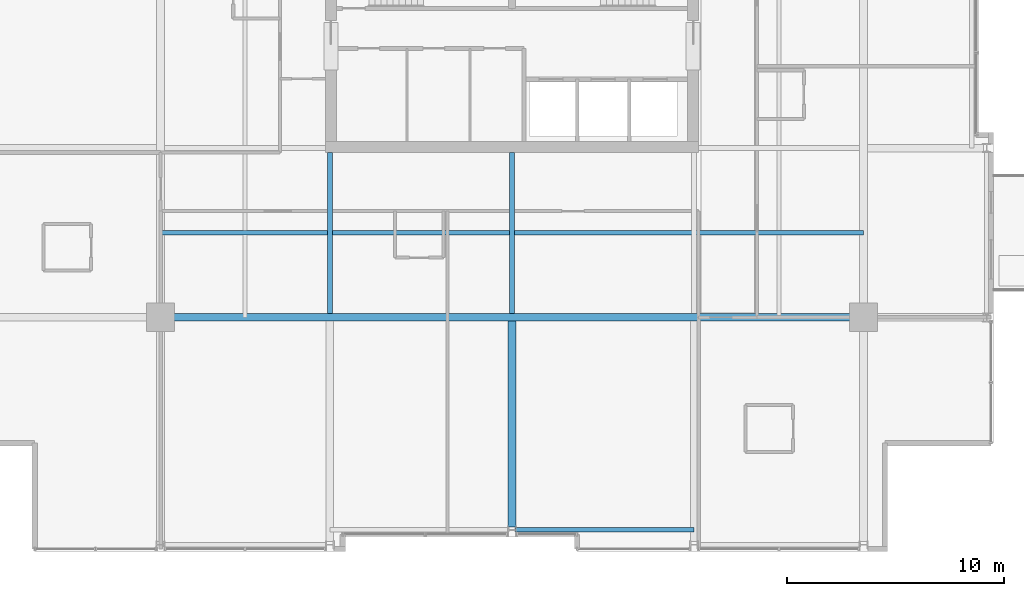
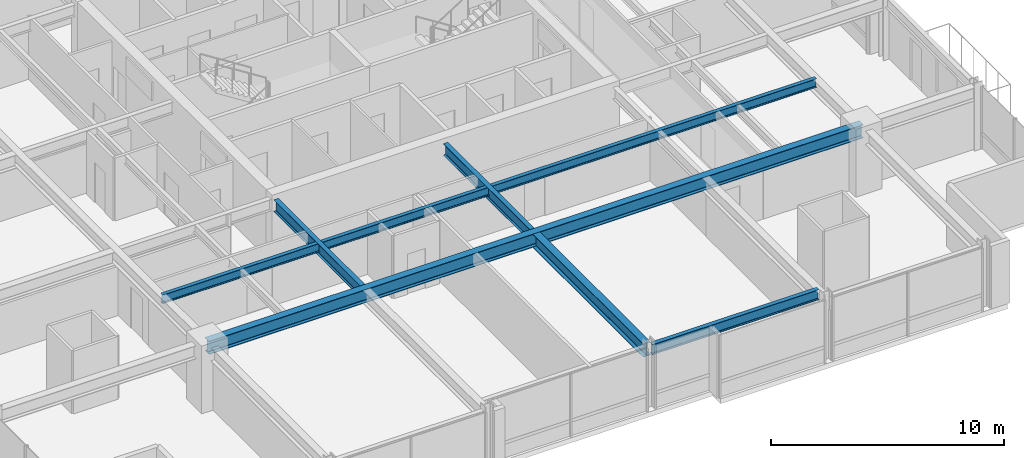
# One storey, part 6 of 32: 6 beams.
"""IFC4 building model written with IfcOpenShell, lengths in metres."""

from ifc_helpers import new_model, si_unit, direction, frame, origin, origin_2d, place, context, subcontext, project, spatial, i_section, extrude, material, material_profile, profile_set, type_object, element, save


model = new_model("IFC4")

# Units and contexts
model_context = context("Model", 3, precision=1e-05, world=origin(), true_north=direction((0.0, 1.0)))
body_context = subcontext(model_context, "Body", "Model", "MODEL_VIEW")
ifc_project = project(units=[si_unit("LENGTHUNIT", "METRE"), si_unit("AREAUNIT", "SQUARE_METRE"), si_unit("VOLUMEUNIT", "CUBIC_METRE"), si_unit("PLANEANGLEUNIT", "RADIAN"), si_unit("MASSUNIT", "GRAM", prefix="KILO")], contexts=[model_context])

# Site, building, storey
site_placement = place(None, origin())
site = spatial("IfcSite", under=ifc_project, at=site_placement, CompositionType="ELEMENT")
building_placement = place(site_placement, origin())
building = spatial("IfcBuilding", under=site, at=building_placement, Name="Drelvath Grand Hotel", CompositionType="ELEMENT")
storey_placement = place(building_placement, frame((0.0, 0.0, 164.60009765625)))
storey = spatial("IfcBuildingStorey", under=building, at=storey_placement, Name="L42", CompositionType="ELEMENT", Elevation=164.60009765625)

# Beams
ifc_material = material(Name="Steel ASTM A992 Gr 50", Category="steel")
ifc_material_profile_1 = material_profile(ifc_material, i_section(OverallWidth=0.19140625, OverallDepth=0.4599609375, WebThickness=0.010009765625, FlangeThickness=0.01611328125, FilletRadius=0.01611328125, at=origin_2d()), Name="W18X55")
ifc_profile_set_1 = profile_set([ifc_material_profile_1], Name="Steel ASTM A992 Gr 50")
beam_type_1 = type_object("IfcBeamType", Name="Composite Floor Joist W18X55", PredefinedType="JOIST", material=ifc_profile_set_1)
beam_1_placement = place(storey_placement, frame((-16.199951171875, 14.699951171875, 3.059814453125), z_axis=(1.0, 0.0, 0.0), x_axis=(0.0, 1.0, 0.0)))
element("IfcBeam", 1, at=beam_1_placement, inside=storey, type_object=beam_type_1, Name="L42 Floor Joist J1", PredefinedType="JOIST", context=body_context, shape_type="SweptSolid", body=[
    extrude(i_section(OverallWidth=0.19140625, OverallDepth=0.4599609375, WebThickness=0.010009765625, FlangeThickness=0.01611328125, FilletRadius=0.01611328125, at=origin_2d()), origin(), (0.0, 0.0, 1.0), 32.39990234375),
])
ifc_material_profile_2 = material_profile(ifc_material, i_section(OverallWidth=0.210205078125, OverallDepth=0.53662109375, WebThickness=0.010986328125, FlangeThickness=0.017333984375, FilletRadius=0.01806640625, at=origin_2d()), Name="W21X68")
ifc_profile_set_2 = profile_set([ifc_material_profile_2], Name="Steel ASTM A992 Gr 50")
beam_type_2 = type_object("IfcBeamType", Name="Perimeter Spandrel Beam W21X68", PredefinedType="SPANDREL", material=ifc_profile_set_2)
beam_2_placement = place(storey_placement, frame((0.139892578125, 1.0, 3.021484375), z_axis=(1.0, 0.0, 0.0), x_axis=(0.0, 1.0, 0.0)))
element("IfcBeam", 2, at=beam_2_placement, inside=storey, type_object=beam_type_2, Name="L42 Spandrel South Mid E", PredefinedType="SPANDREL", context=body_context, shape_type="SweptSolid", body=[
    extrude(i_section(OverallWidth=0.210205078125, OverallDepth=0.53662109375, WebThickness=0.010986328125, FlangeThickness=0.017333984375, FilletRadius=0.01806640625, at=origin_2d()), origin(), (0.0, 0.0, 1.0), 8.260009765625),
])
ifc_material_profile_3 = material_profile(ifc_material, i_section(OverallWidth=0.228271484375, OverallDepth=0.607666015625, WebThickness=0.01123046875, FlangeThickness=0.017333984375, FilletRadius=0.02001953125, at=origin_2d()), Name="W24X76")
ifc_profile_set_3 = profile_set([ifc_material_profile_3], Name="Steel ASTM A992 Gr 50")
beam_type_3 = type_object("IfcBeamType", Name="Primary Floor Girder W24X76", PredefinedType="BEAM", material=ifc_profile_set_3)
for number, where, z_axis, x_axis, name in (
    (3, (-8.39990234375, 10.977294921875, 2.986083984375), (0.0, 1.0, 0.0), (-1.0, 0.0, 0.0), "L42 South Core Tie 4"),
    (4, (0.0, 10.977294921875, 2.986083984375), (0.0, 1.0, 0.0), (-1.0, 0.0, 0.0), "L42 South Core Tie 5"),
):
    element("IfcBeam", number, at=place(storey_placement, frame(where, z_axis=z_axis, x_axis=x_axis)), inside=storey, type_object=beam_type_3, Name=name, PredefinedType="BEAM", context=body_context, shape_type="SweptSolid", body=[
        extrude(i_section(OverallWidth=0.228271484375, OverallDepth=0.607666015625, WebThickness=0.01123046875, FlangeThickness=0.017333984375, FilletRadius=0.02001953125, at=origin_2d()), origin(), (0.0, 0.0, 1.0), 7.422607421875),
    ])
ifc_material_profile_4 = material_profile(ifc_material, i_section(OverallWidth=0.354736328125, OverallDepth=0.695556640625, WebThickness=0.015380859375, FlangeThickness=0.025146484375, FilletRadius=0.02392578125, at=origin_2d()), Name="W27X146")
ifc_profile_set_4 = profile_set([ifc_material_profile_4], Name="Steel ASTM A992 Gr 50")
beam_type_4 = type_object("IfcBeamType", Name="Primary Floor Girder W27X146", PredefinedType="BEAM", material=ifc_profile_set_4)
beam_3_placement = place(storey_placement, frame((-16.199951171875, 10.800048828125, 2.942138671875), z_axis=(1.0, 0.0, 0.0), x_axis=(0.0, 1.0, 0.0)))
element("IfcBeam", 5, at=beam_3_placement, inside=storey, type_object=beam_type_4, Name="L42 Mega Ring Girder South", PredefinedType="BEAM", context=body_context, shape_type="SweptSolid", body=[
    extrude(i_section(OverallWidth=0.354736328125, OverallDepth=0.695556640625, WebThickness=0.015380859375, FlangeThickness=0.025146484375, FilletRadius=0.02392578125, at=origin_2d()), origin(), (0.0, 0.0, 1.0), 32.39990234375),
])
beam_4_placement = place(storey_placement, frame((0.0, 1.139892578125, 2.942138671875), z_axis=(0.0, 1.0, 0.0), x_axis=(-1.0, 0.0, 0.0)))
element("IfcBeam", 6, at=beam_4_placement, inside=storey, type_object=beam_type_4, Name="L42 South Wing Girder 5", PredefinedType="BEAM", context=body_context, shape_type="SweptSolid", body=[
    extrude(i_section(OverallWidth=0.354736328125, OverallDepth=0.695556640625, WebThickness=0.015380859375, FlangeThickness=0.025146484375, FilletRadius=0.02392578125, at=origin_2d()), origin(), (0.0, 0.0, 1.0), 9.482666015625),
])

save(model, "model.ifc")
